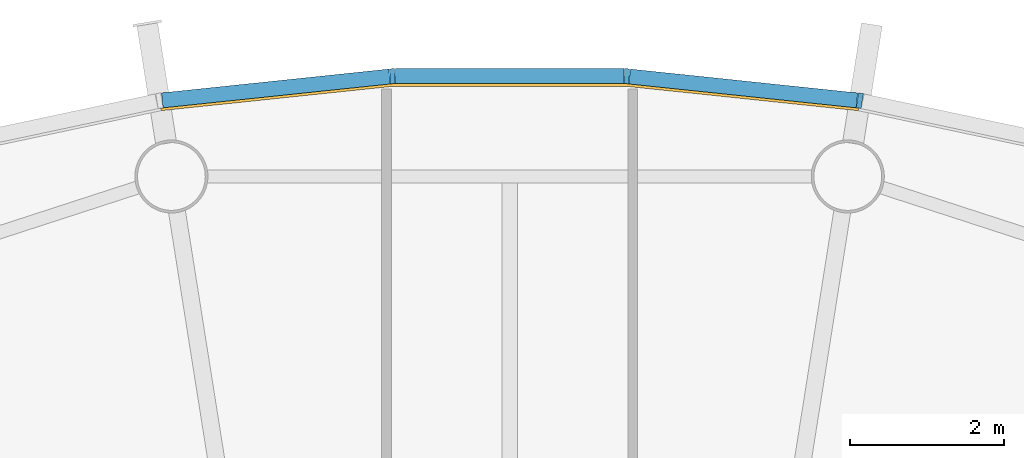
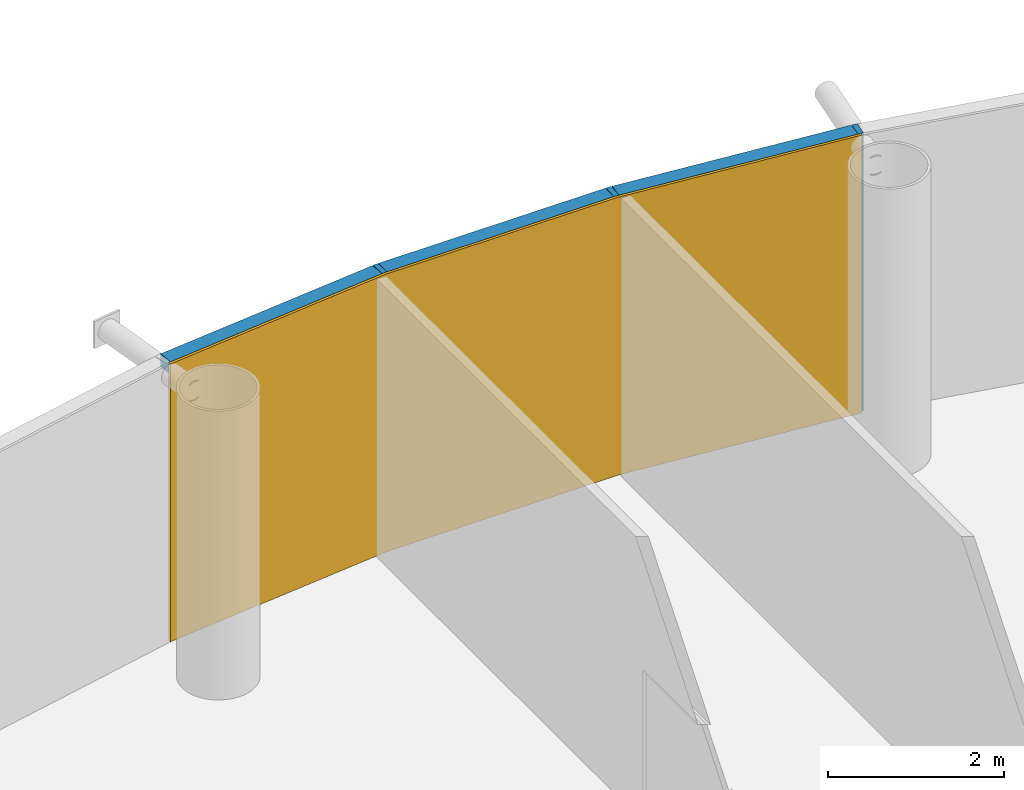
# One storey, part 14 of 16: 6 members, 1 curtain wall.
"""IFC4 building model written with IfcOpenShell, lengths in metres."""

import ifcopenshell
import ifcopenshell.guid

model = None  # the IFC model being written
_history = None  # IfcOwnerHistory: only IFC2X3 demands one
_inside = {}  # id of a spatial element -> (the spatial element, [elements in it])
_under = {}  # id of a project, library or spatial element -> (it, [spatial elements below it])
_declared = {}  # id of a project -> (the project, [libraries it declares])
_typed = {}  # id of a type object -> (the type object, [elements of that type])
_made_of = {}  # id of a material, layer set ... -> (it, [elements and type objects made of it])


def new_model(schema):
    """Start an empty IFC model of exactly this schema.

    Asked for "IFC4X3", IfcOpenShell would pick the latest addendum, in which some entities
    have other attributes; the version numbers below select the first issue.
    IFC2X3 requires an IfcOwnerHistory on every rooted entity: one is made here for all.
    """
    global model, _history
    if schema == "IFC4X3":
        model = ifcopenshell.file(schema_version=(4, 3, 0, 0))
    else:
        model = ifcopenshell.file(schema=schema)
    _inside.clear()
    _under.clear()
    _declared.clear()
    _typed.clear()
    _made_of.clear()
    _history = None
    if model.schema == "IFC2X3":
        org = make("IfcOrganization", Name="unknown")
        user = make(
            "IfcPersonAndOrganization",
            ThePerson=make("IfcPerson", FamilyName="unknown"),
            TheOrganization=org,
        )
        app = make(
            "IfcApplication",
            ApplicationDeveloper=org,
            Version="unknown",
            ApplicationFullName="unknown",
            ApplicationIdentifier="unknown",
        )
        _history = make(
            "IfcOwnerHistory",
            OwningUser=user,
            OwningApplication=app,
            ChangeAction="ADDED",
            CreationDate=0,
        )
    return model


def make(cls, **values):
    """One entity of the class cls with the attributes given. An attribute that is None is left unset."""
    return model.create_entity(
        cls, **{name: value for name, value in values.items() if value is not None}
    )


def rooted(cls, **values):
    """An entity with a GlobalId (a new one), such as an element, a storey or a relation."""
    return make(cls, GlobalId=ifcopenshell.guid.new(), OwnerHistory=_history, **values)


def si_unit(unit_type, name, prefix=None):
    """IfcSIUnit, for example si_unit("LENGTHUNIT", "METRE", prefix="MILLI")."""
    return make("IfcSIUnit", UnitType=unit_type, Prefix=prefix, Name=name)


def assignment(units):
    """IfcUnitAssignment: the units of a project."""
    return None if units is None else make("IfcUnitAssignment", Units=units)


def point(xyz):
    """IfcCartesianPoint."""
    return None if xyz is None else make("IfcCartesianPoint", Coordinates=xyz)


def direction(xyz):
    """IfcDirection."""
    return None if xyz is None else make("IfcDirection", DirectionRatios=xyz)


def frame(location, z_axis=None, x_axis=None):
    """IfcAxis2Placement3D, a coordinate frame: its origin and axes. An axis left out is left unset."""
    return make(
        "IfcAxis2Placement3D",
        Location=point(location),
        Axis=direction(z_axis),
        RefDirection=direction(x_axis),
    )


def frame_2d(location, x_axis=None):
    """IfcAxis2Placement2D, a coordinate frame in the plane: its origin and x axis."""
    return make(
        "IfcAxis2Placement2D", Location=point(location), RefDirection=direction(x_axis)
    )


def origin():
    """The frame at (0, 0, 0) with its axes left unset."""
    return frame((0.0, 0.0, 0.0))


def origin_2d():
    """The frame at (0, 0) in the plane with its x axis left unset."""
    return frame_2d((0.0, 0.0))


def place(relative_to, where):
    """IfcLocalPlacement: puts the frame where relative to a parent placement (None: the world)."""
    return make(
        "IfcLocalPlacement", PlacementRelTo=relative_to, RelativePlacement=where
    )


def context(
    kind, dimensions, precision=None, world=None, true_north=None, identifier=None
):
    """IfcGeometricRepresentationContext, for example the 3D "Model" context."""
    return make(
        "IfcGeometricRepresentationContext",
        ContextIdentifier=identifier,
        ContextType=kind,
        CoordinateSpaceDimension=dimensions,
        Precision=precision,
        WorldCoordinateSystem=world,
        TrueNorth=true_north,
    )


def subcontext(parent, identifier, kind, view, scale=None):
    """IfcGeometricRepresentationSubContext, for example "Body" below "Model"."""
    return make(
        "IfcGeometricRepresentationSubContext",
        ContextIdentifier=identifier,
        ContextType=kind,
        ParentContext=parent,
        TargetScale=scale,
        TargetView=view,
    )


def project(units=None, contexts=None):
    """IfcProject with its units and contexts."""
    return rooted(
        "IfcProject",
        Name="project",
        RepresentationContexts=contexts,
        UnitsInContext=assignment(units),
    )


def spatial(cls, under=None, at=None, **own):
    """A site, building, storey or space (cls), placed at a placement, below another one or the project."""
    s = rooted(cls, ObjectPlacement=at, **own)
    if under is not None:
        _under.setdefault(under.id(), (under, []))[1].append(s)
    return s


def polyline(points):
    """IfcPolyline through the points."""
    return make("IfcPolyline", Points=[point(p) for p in points])


def profile(cls, at=None, kind="AREA", **sizes):
    """A parametric profile (cls). Its sizes go by their IFC names, for example OverallWidth=200.0."""
    return make(cls, ProfileType=kind, Position=at, **sizes)


def rectangle(**sizes):
    """IfcRectangleProfileDef."""
    return profile("IfcRectangleProfileDef", **sizes)


def outline(outer, holes=None, kind="AREA"):
    """IfcArbitraryClosedProfileDef: a profile drawn as a closed curve; with holes, ...WithVoids."""
    if holes is None:
        return make("IfcArbitraryClosedProfileDef", ProfileType=kind, OuterCurve=outer)
    return make(
        "IfcArbitraryProfileDefWithVoids",
        ProfileType=kind,
        OuterCurve=outer,
        InnerCurves=holes,
    )


def extrude(swept, where, along, depth):
    """IfcExtrudedAreaSolid: the profile swept, set in the frame where, extruded along a direction by depth."""
    return make(
        "IfcExtrudedAreaSolid",
        SweptArea=swept,
        Position=where,
        ExtrudedDirection=direction(along),
        Depth=depth,
    )


def shape(context_of_items, identifier, shape_type, items):
    """IfcShapeRepresentation: the items that make up one representation, for example the "Body"."""
    return make(
        "IfcShapeRepresentation",
        ContextOfItems=context_of_items,
        RepresentationIdentifier=identifier,
        RepresentationType=shape_type,
        Items=items,
    )


def material(Name=None, Category=None):
    """IfcMaterial."""
    return make("IfcMaterial", Name=Name, Category=Category)


def layer(
    of_material, thickness, ventilated=None, Name=None, Category=None, Priority=None
):
    """IfcMaterialLayer: one layer of a wall or slab, of a material (None: an air gap)."""
    return make(
        "IfcMaterialLayer",
        Material=of_material,
        LayerThickness=thickness,
        IsVentilated=ventilated,
        Name=Name,
        Category=Category,
        Priority=Priority,
    )


def layer_set(layers, Name=None):
    """IfcMaterialLayerSet."""
    return make("IfcMaterialLayerSet", MaterialLayers=layers, LayerSetName=Name)


def material_profile(
    of_material, cross_section, Name=None, Category=None, Priority=None
):
    """IfcMaterialProfile: a cross section and its material."""
    return make(
        "IfcMaterialProfile",
        Name=Name,
        Material=of_material,
        Profile=cross_section,
        Priority=Priority,
        Category=Category,
    )


def profile_set(profiles, Name=None, composite=None):
    """IfcMaterialProfileSet."""
    return make(
        "IfcMaterialProfileSet",
        Name=Name,
        MaterialProfiles=profiles,
        CompositeProfile=composite,
    )


def made_of(thing, what):
    """Note that an element or type object is made of a material, layer set ...; save() writes the relation."""
    if what is not None:
        _made_of.setdefault(what.id(), (what, []))[1].append(thing)
    return thing


def type_object(cls, material=None, **own):
    """A type object (cls), such as IfcWallType, which elements share."""
    return made_of(rooted(cls, **own), material)


def element(
    cls,
    number,
    at=None,
    inside=None,
    cuts=None,
    type_object=None,
    material=None,
    context=None,
    identifier="Body",
    shape_type=None,
    held_by="IfcProductDefinitionShape",
    body=None,
    shapes=None,
    **own,
):
    """One element of the class cls, such as IfcWall. Its Tag is "e" and its number.

    at: its placement. inside: the storey or other place that contains it. cuts: it is an
    opening in that element (IfcRelVoidsElement). A single representation is given by context,
    identifier, shape_type and body (its items); several are given by shapes. held_by: the class
    of the entity that holds the representations. save() writes the other relations.
    """
    e = rooted(cls, Tag="e%d" % number, ObjectPlacement=at, **own)
    if body is not None:
        shapes = [shape(context, identifier, shape_type, body)]
    if shapes is not None:
        e.Representation = make(held_by, Representations=shapes)
    if inside is not None:
        _inside.setdefault(inside.id(), (inside, []))[1].append(e)
    if cuts is not None:
        rooted(
            "IfcRelVoidsElement", RelatingBuildingElement=cuts, RelatedOpeningElement=e
        )
    if type_object is not None:
        _typed.setdefault(type_object.id(), (type_object, []))[1].append(e)
    return made_of(e, material)


def aggregate(whole, parts):
    """IfcRelAggregates: a whole, such as a stair, and the parts it consists of."""
    return rooted("IfcRelAggregates", RelatingObject=whole, RelatedObjects=parts)


def save(model, path):
    """Write the relations noted so far, then the file.

    IfcRelAggregates (storeys below a building ...), IfcRelContainedInSpatialStructure (elements
    in a storey), IfcRelDefinesByType, IfcRelAssociatesMaterial and IfcRelDeclares: one each for
    every whole, place, type object, material and project.
    """
    for whole, parts in _under.values():
        aggregate(whole, parts)
    for where, things in _inside.values():
        rooted(
            "IfcRelContainedInSpatialStructure",
            RelatedElements=things,
            RelatingStructure=where,
        )
    for kind, things in _typed.values():
        rooted("IfcRelDefinesByType", RelatedObjects=things, RelatingType=kind)
    for what, things in _made_of.values():
        rooted("IfcRelAssociatesMaterial", RelatedObjects=things, RelatingMaterial=what)
    for by, libraries in _declared.values():
        rooted("IfcRelDeclares", RelatingContext=by, RelatedDefinitions=libraries)
    model.write(path)


model = new_model("IFC4")

# Units and contexts
model_context = context("Model", 3, precision=1e-05, world=origin(), true_north=direction((0.0, 1.0)))
body_context = subcontext(model_context, "Body", "Model", "MODEL_VIEW")
ifc_project = project(units=[si_unit("LENGTHUNIT", "METRE"), si_unit("AREAUNIT", "SQUARE_METRE"), si_unit("VOLUMEUNIT", "CUBIC_METRE"), si_unit("PLANEANGLEUNIT", "RADIAN"), si_unit("MASSUNIT", "GRAM", prefix="KILO")], contexts=[model_context])

# Member
ifc_material_1 = material(Name="Anodised aluminium", Category="aluminium")
ifc_material_profile_1 = material_profile(ifc_material_1, rectangle(XDim=0.06494140625, YDim=0.195068359375, at=origin_2d()), Name="Mullion 65 x 195 mm anodised aluminium")
ifc_profile_set_1 = profile_set([ifc_material_profile_1], Name="Anodised aluminium")
member_type_1 = type_object("IfcMemberType", Name="Mullion 65 x 195 mm anodised aluminium", PredefinedType="MULLION", material=ifc_profile_set_1)
site_placement = place(None, origin())
building_placement = place(site_placement, origin())
storey_placement = place(building_placement, frame((0.0, 0.0, 326.0)))
member_1_placement = place(storey_placement, frame((94.5517578125, 108.7392578125, 0.0), z_axis=(0.0, 0.0, 1.0), x_axis=(-0.987688340595, 0.15643446504, 0.0)))
member_1 = element("IfcMember", 1, at=member_1_placement, type_object=member_type_1, Name="MULLION L75-12", PredefinedType="MULLION", context=body_context, shape_type="SweptSolid", body=[
    extrude(rectangle(XDim=0.06494140625, YDim=0.195068359375, at=origin_2d()), origin(), (0.0, 0.0, 1.0), 3.85009765625),
])

member_2_placement = place(storey_placement, frame((91.52294921875, 109.0576171875, 0.0), z_axis=(0.0, 0.0, 1.0), x_axis=(-0.998629534755, 0.052335956243, 0.0)))
member_2 = element("IfcMember", 2, at=member_2_placement, type_object=member_type_1, Name="MULLION L75-13", PredefinedType="MULLION", context=body_context, shape_type="SweptSolid", body=[
    extrude(rectangle(XDim=0.06494140625, YDim=0.195068359375, at=origin_2d()), origin(), (0.0, 0.0, 1.0), 3.85009765625),
])

member_3_placement = place(storey_placement, frame((88.47705078125, 109.0576171875, 0.0), z_axis=(0.0, 0.0, 1.0), x_axis=(-0.998629534755, -0.052335956243, 0.0)))
member_3 = element("IfcMember", 3, at=member_3_placement, type_object=member_type_1, Name="MULLION L75-14", PredefinedType="MULLION", context=body_context, shape_type="SweptSolid", body=[
    extrude(rectangle(XDim=0.06494140625, YDim=0.195068359375, at=origin_2d()), origin(), (0.0, 0.0, 1.0), 3.85009765625),
])

ifc_material_2 = material(Name="Anodised aluminium", Category="aluminium")
ifc_material_profile_2 = material_profile(ifc_material_2, rectangle(XDim=0.195068359375, YDim=0.179931640625, at=origin_2d()), Name="Transom 180 x 195 mm anodised aluminium")
ifc_profile_set_2 = profile_set([ifc_material_profile_2], Name="Anodised aluminium")
member_type_2 = type_object("IfcMemberType", Name="Transom 180 x 195 mm anodised aluminium", PredefinedType="USERDEFINED", material=ifc_profile_set_2)
member_4_placement = place(storey_placement, frame((94.514404296875, 108.743408203125, 3.760009765625), z_axis=(-0.994528397827, 0.104466577987, 0.0), x_axis=(-0.104466577987, -0.994528397827, 0.0)))
member_4 = element("IfcMember", 4, at=member_4_placement, type_object=member_type_2, Name="TRANSOM L75-12", ObjectType="TRANSOM", PredefinedType="USERDEFINED", context=body_context, shape_type="SweptSolid", body=[
    extrude(rectangle(XDim=0.195068359375, YDim=0.179931640625, at=origin_2d()), origin(), (0.0, 0.0, 1.0), 2.970458984375),
])

member_5_placement = place(storey_placement, frame((91.4853515625, 109.057861328125, 3.760009765625), z_axis=(-1.0, 0.0, 0.0), x_axis=(0.0, -1.0, 0.0)))
member_5 = element("IfcMember", 5, at=member_5_placement, type_object=member_type_2, Name="TRANSOM L75-13", ObjectType="TRANSOM", PredefinedType="USERDEFINED", context=body_context, shape_type="SweptSolid", body=[
    extrude(rectangle(XDim=0.195068359375, YDim=0.179931640625, at=origin_2d()), origin(), (0.0, 0.0, 1.0), 2.970703125),
])

member_6_placement = place(storey_placement, frame((88.439697265625, 109.0537109375, 3.760009765625), z_axis=(-0.994528397827, -0.104466577987, 0.0), x_axis=(0.104466577987, -0.994528397827, 0.0)))
member_6 = element("IfcMember", 6, at=member_6_placement, type_object=member_type_2, Name="TRANSOM L75-14", ObjectType="TRANSOM", PredefinedType="USERDEFINED", context=body_context, shape_type="SweptSolid", body=[
    extrude(rectangle(XDim=0.195068359375, YDim=0.179931640625, at=origin_2d()), origin(), (0.0, 0.0, 1.0), 2.970458984375),
])

# Site, building, storey
site = spatial("IfcSite", under=ifc_project, at=site_placement, CompositionType="ELEMENT")
building = spatial("IfcBuilding", under=site, at=building_placement, Name="Entoto Ring Tower", CompositionType="ELEMENT")
storey = spatial("IfcBuildingStorey", under=building, at=storey_placement, Name="L75", CompositionType="ELEMENT", Elevation=326.0)

# Curtain wall
ifc_material_3 = material(Name="Clear low-iron glass", Category="glass")
ifc_layer = layer(ifc_material_3, 0.033935546875)
ifc_layer_set = layer_set([ifc_layer], Name="Clear low-iron glass")
curtain_wall_type = type_object("IfcCurtainWallType", Name="Curtain wall system CW5 glazing 34 mm", PredefinedType="NOTDEFINED", material=ifc_layer_set)
curtain_wall_placement = place(storey_placement, origin())
curtain_wall = element("IfcCurtainWall", 7, at=curtain_wall_placement, inside=storey, type_object=curtain_wall_type, Name="CW5 L75-05", PredefinedType="NOTDEFINED", context=body_context, shape_type="SweptSolid", body=[
    extrude(outline(polyline([(94.53662109375, 108.64306640625), (91.517822265625, 108.960205078125), (88.482177734375, 108.960205078125), (85.46337890625, 108.64306640625), (85.46875, 108.609375), (88.484130859375, 108.92626953125), (91.515869140625, 108.92626953125), (94.53125, 108.609375), (94.53662109375, 108.64306640625)])), origin(), (0.0, 0.0, 1.0), 3.85009765625),
])

aggregate(curtain_wall, [member_1, member_2, member_3, member_4, member_5, member_6])

save(model, "model.ifc")
